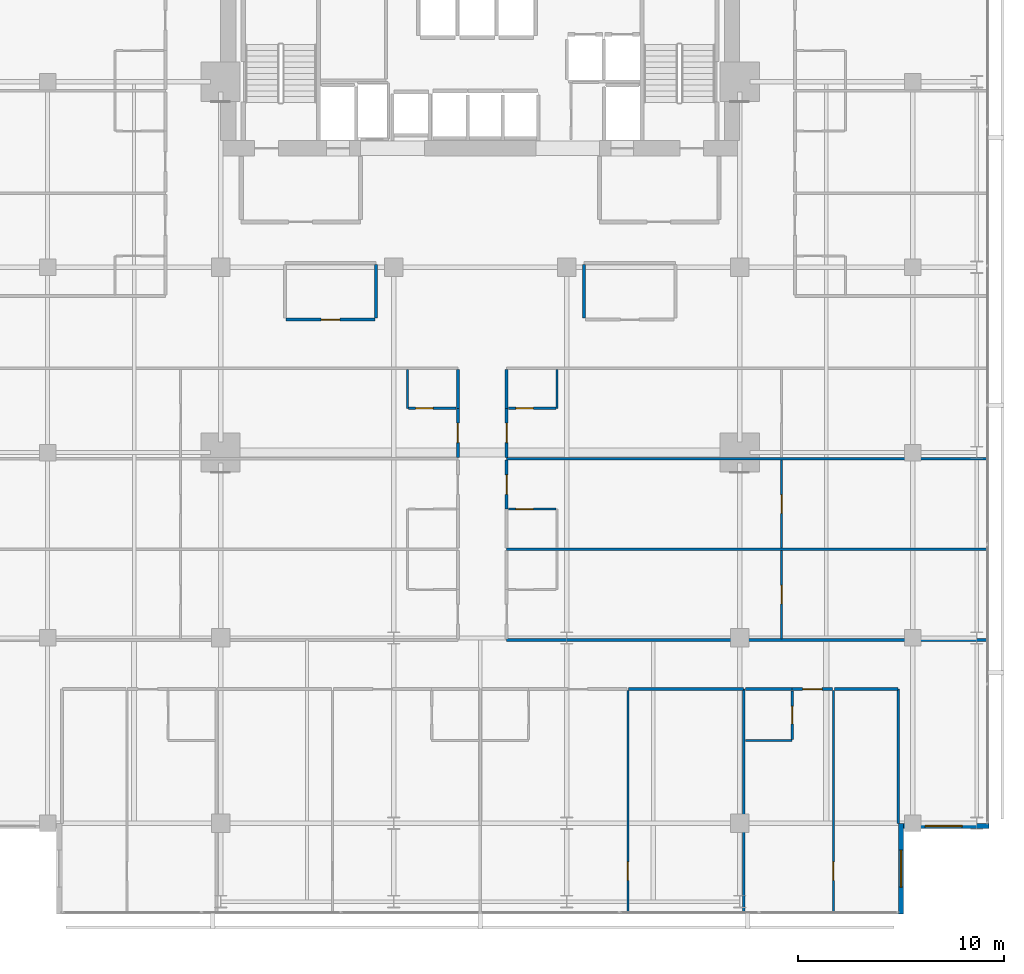
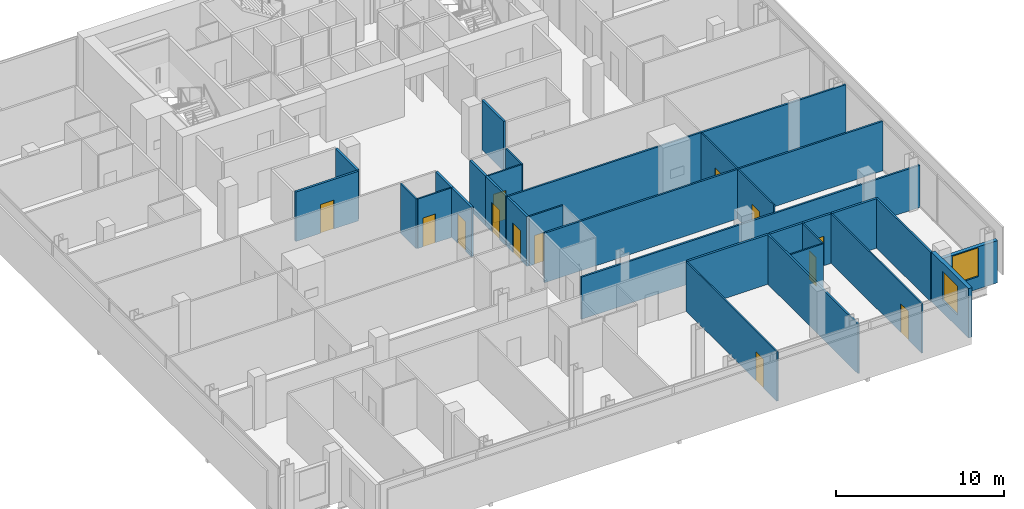
# One storey, part 28 of 34: 30 walls, 13 doors, 2 windows, 15 openings.
"""IFC4 building model written with IfcOpenShell, lengths in metres."""

import ifcopenshell
import ifcopenshell.guid

model = None  # the IFC model being written
_history = None  # IfcOwnerHistory: only IFC2X3 demands one
_inside = {}  # id of a spatial element -> (the spatial element, [elements in it])
_under = {}  # id of a project, library or spatial element -> (it, [spatial elements below it])
_declared = {}  # id of a project -> (the project, [libraries it declares])
_typed = {}  # id of a type object -> (the type object, [elements of that type])
_made_of = {}  # id of a material, layer set ... -> (it, [elements and type objects made of it])


def new_model(schema):
    """Start an empty IFC model of exactly this schema.

    Asked for "IFC4X3", IfcOpenShell would pick the latest addendum, in which some entities
    have other attributes; the version numbers below select the first issue.
    IFC2X3 requires an IfcOwnerHistory on every rooted entity: one is made here for all.
    """
    global model, _history
    if schema == "IFC4X3":
        model = ifcopenshell.file(schema_version=(4, 3, 0, 0))
    else:
        model = ifcopenshell.file(schema=schema)
    _inside.clear()
    _under.clear()
    _declared.clear()
    _typed.clear()
    _made_of.clear()
    _history = None
    if model.schema == "IFC2X3":
        org = make("IfcOrganization", Name="unknown")
        user = make(
            "IfcPersonAndOrganization",
            ThePerson=make("IfcPerson", FamilyName="unknown"),
            TheOrganization=org,
        )
        app = make(
            "IfcApplication",
            ApplicationDeveloper=org,
            Version="unknown",
            ApplicationFullName="unknown",
            ApplicationIdentifier="unknown",
        )
        _history = make(
            "IfcOwnerHistory",
            OwningUser=user,
            OwningApplication=app,
            ChangeAction="ADDED",
            CreationDate=0,
        )
    return model


def make(cls, **values):
    """One entity of the class cls with the attributes given. An attribute that is None is left unset."""
    return model.create_entity(
        cls, **{name: value for name, value in values.items() if value is not None}
    )


def rooted(cls, **values):
    """An entity with a GlobalId (a new one), such as an element, a storey or a relation."""
    return make(cls, GlobalId=ifcopenshell.guid.new(), OwnerHistory=_history, **values)


def si_unit(unit_type, name, prefix=None):
    """IfcSIUnit, for example si_unit("LENGTHUNIT", "METRE", prefix="MILLI")."""
    return make("IfcSIUnit", UnitType=unit_type, Prefix=prefix, Name=name)


def assignment(units):
    """IfcUnitAssignment: the units of a project."""
    return None if units is None else make("IfcUnitAssignment", Units=units)


def point(xyz):
    """IfcCartesianPoint."""
    return None if xyz is None else make("IfcCartesianPoint", Coordinates=xyz)


def direction(xyz):
    """IfcDirection."""
    return None if xyz is None else make("IfcDirection", DirectionRatios=xyz)


def frame(location, z_axis=None, x_axis=None):
    """IfcAxis2Placement3D, a coordinate frame: its origin and axes. An axis left out is left unset."""
    return make(
        "IfcAxis2Placement3D",
        Location=point(location),
        Axis=direction(z_axis),
        RefDirection=direction(x_axis),
    )


def frame_2d(location, x_axis=None):
    """IfcAxis2Placement2D, a coordinate frame in the plane: its origin and x axis."""
    return make(
        "IfcAxis2Placement2D", Location=point(location), RefDirection=direction(x_axis)
    )


def origin():
    """The frame at (0, 0, 0) with its axes left unset."""
    return frame((0.0, 0.0, 0.0))


def place(relative_to, where):
    """IfcLocalPlacement: puts the frame where relative to a parent placement (None: the world)."""
    return make(
        "IfcLocalPlacement", PlacementRelTo=relative_to, RelativePlacement=where
    )


def context(
    kind, dimensions, precision=None, world=None, true_north=None, identifier=None
):
    """IfcGeometricRepresentationContext, for example the 3D "Model" context."""
    return make(
        "IfcGeometricRepresentationContext",
        ContextIdentifier=identifier,
        ContextType=kind,
        CoordinateSpaceDimension=dimensions,
        Precision=precision,
        WorldCoordinateSystem=world,
        TrueNorth=true_north,
    )


def subcontext(parent, identifier, kind, view, scale=None):
    """IfcGeometricRepresentationSubContext, for example "Body" below "Model"."""
    return make(
        "IfcGeometricRepresentationSubContext",
        ContextIdentifier=identifier,
        ContextType=kind,
        ParentContext=parent,
        TargetScale=scale,
        TargetView=view,
    )


def project(units=None, contexts=None):
    """IfcProject with its units and contexts."""
    return rooted(
        "IfcProject",
        Name="project",
        RepresentationContexts=contexts,
        UnitsInContext=assignment(units),
    )


def spatial(cls, under=None, at=None, **own):
    """A site, building, storey or space (cls), placed at a placement, below another one or the project."""
    s = rooted(cls, ObjectPlacement=at, **own)
    if under is not None:
        _under.setdefault(under.id(), (under, []))[1].append(s)
    return s


def profile(cls, at=None, kind="AREA", **sizes):
    """A parametric profile (cls). Its sizes go by their IFC names, for example OverallWidth=200.0."""
    return make(cls, ProfileType=kind, Position=at, **sizes)


def rectangle(**sizes):
    """IfcRectangleProfileDef."""
    return profile("IfcRectangleProfileDef", **sizes)


def extrude(swept, where, along, depth):
    """IfcExtrudedAreaSolid: the profile swept, set in the frame where, extruded along a direction by depth."""
    return make(
        "IfcExtrudedAreaSolid",
        SweptArea=swept,
        Position=where,
        ExtrudedDirection=direction(along),
        Depth=depth,
    )


def shape(context_of_items, identifier, shape_type, items):
    """IfcShapeRepresentation: the items that make up one representation, for example the "Body"."""
    return make(
        "IfcShapeRepresentation",
        ContextOfItems=context_of_items,
        RepresentationIdentifier=identifier,
        RepresentationType=shape_type,
        Items=items,
    )


def material(Name=None, Category=None):
    """IfcMaterial."""
    return make("IfcMaterial", Name=Name, Category=Category)


def layer(
    of_material, thickness, ventilated=None, Name=None, Category=None, Priority=None
):
    """IfcMaterialLayer: one layer of a wall or slab, of a material (None: an air gap)."""
    return make(
        "IfcMaterialLayer",
        Material=of_material,
        LayerThickness=thickness,
        IsVentilated=ventilated,
        Name=Name,
        Category=Category,
        Priority=Priority,
    )


def layer_set(layers, Name=None):
    """IfcMaterialLayerSet."""
    return make("IfcMaterialLayerSet", MaterialLayers=layers, LayerSetName=Name)


def made_of(thing, what):
    """Note that an element or type object is made of a material, layer set ...; save() writes the relation."""
    if what is not None:
        _made_of.setdefault(what.id(), (what, []))[1].append(thing)
    return thing


def type_object(cls, material=None, **own):
    """A type object (cls), such as IfcWallType, which elements share."""
    return made_of(rooted(cls, **own), material)


def element(
    cls,
    number,
    at=None,
    inside=None,
    cuts=None,
    type_object=None,
    material=None,
    context=None,
    identifier="Body",
    shape_type=None,
    held_by="IfcProductDefinitionShape",
    body=None,
    shapes=None,
    **own,
):
    """One element of the class cls, such as IfcWall. Its Tag is "e" and its number.

    at: its placement. inside: the storey or other place that contains it. cuts: it is an
    opening in that element (IfcRelVoidsElement). A single representation is given by context,
    identifier, shape_type and body (its items); several are given by shapes. held_by: the class
    of the entity that holds the representations. save() writes the other relations.
    """
    e = rooted(cls, Tag="e%d" % number, ObjectPlacement=at, **own)
    if body is not None:
        shapes = [shape(context, identifier, shape_type, body)]
    if shapes is not None:
        e.Representation = make(held_by, Representations=shapes)
    if inside is not None:
        _inside.setdefault(inside.id(), (inside, []))[1].append(e)
    if cuts is not None:
        rooted(
            "IfcRelVoidsElement", RelatingBuildingElement=cuts, RelatedOpeningElement=e
        )
    if type_object is not None:
        _typed.setdefault(type_object.id(), (type_object, []))[1].append(e)
    return made_of(e, material)


def fill(opening, filler):
    """IfcRelFillsElement: the door or window that sits in an opening."""
    return rooted(
        "IfcRelFillsElement",
        RelatingOpeningElement=opening,
        RelatedBuildingElement=filler,
    )


def aggregate(whole, parts):
    """IfcRelAggregates: a whole, such as a stair, and the parts it consists of."""
    return rooted("IfcRelAggregates", RelatingObject=whole, RelatedObjects=parts)


def save(model, path):
    """Write the relations noted so far, then the file.

    IfcRelAggregates (storeys below a building ...), IfcRelContainedInSpatialStructure (elements
    in a storey), IfcRelDefinesByType, IfcRelAssociatesMaterial and IfcRelDeclares: one each for
    every whole, place, type object, material and project.
    """
    for whole, parts in _under.values():
        aggregate(whole, parts)
    for where, things in _inside.values():
        rooted(
            "IfcRelContainedInSpatialStructure",
            RelatedElements=things,
            RelatingStructure=where,
        )
    for kind, things in _typed.values():
        rooted("IfcRelDefinesByType", RelatedObjects=things, RelatingType=kind)
    for what, things in _made_of.values():
        rooted("IfcRelAssociatesMaterial", RelatedObjects=things, RelatingMaterial=what)
    for by, libraries in _declared.values():
        rooted("IfcRelDeclares", RelatingContext=by, RelatedDefinitions=libraries)
    model.write(path)


model = new_model("IFC4")

# Units and contexts
model_context = context("Model", 3, precision=1e-05, world=origin(), true_north=direction((0.0, 1.0)))
body_context = subcontext(model_context, "Body", "Model", "MODEL_VIEW")
ifc_project = project(units=[si_unit("LENGTHUNIT", "METRE"), si_unit("AREAUNIT", "SQUARE_METRE"), si_unit("VOLUMEUNIT", "CUBIC_METRE"), si_unit("PLANEANGLEUNIT", "RADIAN"), si_unit("MASSUNIT", "GRAM", prefix="KILO")], contexts=[model_context])

# Site, building, storey
site_placement = place(None, origin())
site = spatial("IfcSite", under=ifc_project, at=site_placement, CompositionType="ELEMENT")
building_placement = place(site_placement, origin())
building = spatial("IfcBuilding", under=site, at=building_placement, Name="Maruvema Waterfront Hotel and Observation Tower", CompositionType="ELEMENT")
storey_placement = place(building_placement, frame((0.0, 0.0, 212.10009765625)))
storey = spatial("IfcBuildingStorey", under=building, at=storey_placement, Name="L52", CompositionType="ELEMENT", Elevation=212.10009765625)

# Wall
ifc_material_1 = material(Name="Twin-stud acoustic gypsum drywall", Category="gypsum")
ifc_layer_1 = layer(ifc_material_1, 0.14990234375, Name="Acoustic Corridor and Suite Demising Wall 150 mm")
ifc_layer_set_1 = layer_set([ifc_layer_1], Name="Twin-stud acoustic gypsum drywall")
wall_type_1 = type_object("IfcWallType", Name="Acoustic Corridor and Suite Demising Wall 150 mm", PredefinedType="PARTITIONING", material=ifc_layer_set_1)
wall_1_placement = place(storey_placement, frame((32.75, 33.530029296875, 0.0), z_axis=(0.0, 0.0, 1.0), x_axis=(0.0, 1.0, 0.0)))
element("IfcWall", 1, at=wall_1_placement, inside=storey, type_object=wall_type_1, Name="L52 L52-M1 East Wall 019", PredefinedType="PARTITIONING", context=body_context, shape_type="SweptSolid", body=[
    extrude(rectangle(XDim=2.590087890625, YDim=0.14990234375, at=frame_2d((1.294921875, 0.0))), origin(), (0.0, 0.0, 1.0), 3.60986328125),
])

# Wall, opening, door
wall_2_placement = place(storey_placement, frame((28.3798828125, 33.449951171875, 0.0), z_axis=(0.0, 0.0, 1.0), x_axis=(1.0, 0.0, 0.0)))
wall_2 = element("IfcWall", 2, at=wall_2_placement, inside=storey, type_object=wall_type_1, Name="L52 L52-M1 Front 1 020", PredefinedType="PARTITIONING", context=body_context, shape_type="SweptSolid", body=[
    extrude(rectangle(XDim=4.31005859375, YDim=0.14990234375, at=frame_2d((2.155029296875, 0.0))), origin(), (0.0, 0.0, 1.0), 3.60986328125),
])
opening_1_placement = place(wall_2_placement, frame((1.705078125, 0.0, 0.0)))
opening_1 = element("IfcOpeningElement", 3, at=opening_1_placement, cuts=wall_2, Name="Opening DR-090", PredefinedType="OPENING", context=body_context, shape_type="SweptSolid", body=[
    extrude(rectangle(XDim=0.89990234375, YDim=2.10009765625, at=frame_2d((0.449951171875, 1.050048828125))), frame((0.0, 0.0849609375, 0.0), z_axis=(0.0, -1.0, 0.0), x_axis=(1.0, 0.0, 0.0)), (0.0, 0.0, 1.0), 0.169921875),
])
ifc_material_2 = material(Name="Solid-core lacquered timber leaf", Category="wood")
door_type_1 = type_object("IfcDoorType", Name="Accessible Toilet and Room Door 900x2100 mm", OperationType="NOTDEFINED", PredefinedType="DOOR", material=ifc_material_2)
door_1_placement = place(opening_1_placement, frame((0.89990234375, 0.0, 0.0), z_axis=(0.0, 0.0, 1.0), x_axis=(-1.0, 0.0, 0.0)))
door_1 = element("IfcDoor", 4, at=door_1_placement, inside=storey, type_object=door_type_1, Name="L52 Boardroom 1 Door", OperationType="SINGLE_SWING_LEFT", OverallHeight=2.10009765625, OverallWidth=0.89990234375, PredefinedType="DOOR", context=body_context, shape_type="SweptSolid", body=[
    extrude(rectangle(XDim=0.89990234375, YDim=2.10009765625, at=frame_2d((0.449951171875, 1.050048828125))), frame((0.0, 0.02490234375, 0.0), z_axis=(0.0, -1.0, 0.0), x_axis=(1.0, 0.0, 0.0)), (0.0, 0.0, 1.0), 0.050048828125),
])
fill(opening_1, door_1)

# Walls
wall_3_placement = place(storey_placement, frame((42.85009765625, 33.530029296875, 0.0), z_axis=(0.0, 0.0, 1.0), x_axis=(0.0, 1.0, 0.0)))
element("IfcWall", 5, at=wall_3_placement, inside=storey, type_object=wall_type_1, Name="L52 L52-M2 West Wall 022", PredefinedType="PARTITIONING", context=body_context, shape_type="SweptSolid", body=[
    extrude(rectangle(XDim=2.590087890625, YDim=0.14990234375, at=frame_2d((1.294921875, 0.0))), origin(), (0.0, 0.0, 1.0), 3.60986328125),
])
wall_4_placement = place(storey_placement, frame((45.008056640625, 15.52001953125, 0.0), z_axis=(0.0, 0.0, 1.0), x_axis=(1.0, 0.0, 0.0)))
element("IfcWall", 6, at=wall_4_placement, inside=storey, type_object=wall_type_1, Name="L52 Bedroom L52-S3 Back Wall 045", PredefinedType="PARTITIONING", context=body_context, shape_type="SweptSolid", body=[
    extrude(rectangle(XDim=5.572021484375, YDim=0.14990234375, at=frame_2d((2.7861328125, 0.0))), origin(), (0.0, 0.0, 1.0), 3.60986328125),
])
wall_5_placement = place(storey_placement, frame((50.679931640625, 15.52001953125, 0.0), z_axis=(0.0, 0.0, 1.0), x_axis=(1.0, 0.0, 0.0)))
element("IfcWall", 7, at=wall_5_placement, inside=storey, type_object=wall_type_1, Name="L52 Bath L52-S4 Back Wall 048", PredefinedType="PARTITIONING", context=body_context, shape_type="SweptSolid", body=[
    extrude(rectangle(XDim=2.27001953125, YDim=0.14990234375, at=frame_2d((1.135009765625, 0.0))), origin(), (0.0, 0.0, 1.0), 3.60986328125),
])

# Wall, opening, door
wall_6_placement = place(storey_placement, frame((52.949951171875, 15.52001953125, 0.0), z_axis=(0.0, 0.0, 1.0), x_axis=(1.0, 0.0, 0.0)))
wall_6 = element("IfcWall", 8, at=wall_6_placement, inside=storey, type_object=wall_type_1, Name="L52 Unit L52-S4 Corridor Wall 051", PredefinedType="PARTITIONING", context=body_context, shape_type="SweptSolid", body=[
    extrude(rectangle(XDim=1.9599609375, YDim=0.14990234375, at=frame_2d((0.97998046875, 0.0))), origin(), (0.0, 0.0, 1.0), 3.60986328125),
])
opening_2_placement = place(wall_6_placement, frame((0.5048828125, 0.0, 0.0)))
opening_2 = element("IfcOpeningElement", 9, at=opening_2_placement, cuts=wall_6, Name="Opening DR-095", PredefinedType="OPENING", context=body_context, shape_type="SweptSolid", body=[
    extrude(rectangle(XDim=0.949951171875, YDim=2.14990234375, at=frame_2d((0.47509765625, 1.074951171875))), frame((0.0, 0.0849609375, 0.0), z_axis=(0.0, -1.0, 0.0), x_axis=(1.0, 0.0, 0.0)), (0.0, 0.0, 1.0), 0.169921875),
])
ifc_material_3 = material(Name="Acoustic solid-core hardwood timber leaf", Category="wood")
door_type_2 = type_object("IfcDoorType", Name="Guestroom Entrance Fire Door 950x2150 mm", OperationType="NOTDEFINED", PredefinedType="DOOR", material=ifc_material_3)
door_2_placement = place(opening_2_placement, frame((0.949951171875, 0.0, 0.0), z_axis=(0.0, 0.0, 1.0), x_axis=(-1.0, 0.0, 0.0)))
door_2 = element("IfcDoor", 10, at=door_2_placement, inside=storey, type_object=door_type_2, Name="L52 Unit L52-S4 Entrance Door", OperationType="SINGLE_SWING_LEFT", OverallHeight=2.14990234375, OverallWidth=0.949951171875, PredefinedType="DOOR", context=body_context, shape_type="SweptSolid", body=[
    extrude(rectangle(XDim=0.949951171875, YDim=2.14990234375, at=frame_2d((0.47509765625, 1.074951171875))), frame((0.0, 0.02490234375, 0.0), z_axis=(0.0, -1.0, 0.0), x_axis=(1.0, 0.0, 0.0)), (0.0, 0.0, 1.0), 0.050048828125),
])
fill(opening_2, door_2)

# Wall
wall_7_placement = place(storey_placement, frame((54.989990234375, 15.52001953125, 0.0), z_axis=(0.0, 0.0, 1.0), x_axis=(1.0, 0.0, 0.0)))
element("IfcWall", 11, at=wall_7_placement, inside=storey, type_object=wall_type_1, Name="L52 Bedroom L52-S4 Back Wall 052", PredefinedType="PARTITIONING", context=body_context, shape_type="SweptSolid", body=[
    extrude(rectangle(XDim=3.090087890625, YDim=0.14990234375, at=frame_2d((1.544921875, 0.0))), origin(), (0.0, 0.0, 1.0), 3.60986328125),
])

# Wall, opening, door
wall_8_placement = place(storey_placement, frame((39.080078125, 24.25, 0.0), z_axis=(0.0, 0.0, 1.0), x_axis=(0.0, 1.0, 0.0)))
wall_8 = element("IfcWall", 12, at=wall_8_placement, inside=storey, type_object=wall_type_1, Name="L52 Room L52-E2 Corridor Wall 076", PredefinedType="PARTITIONING", context=body_context, shape_type="SweptSolid", body=[
    extrude(rectangle(XDim=2.389892578125, YDim=0.14990234375, at=frame_2d((1.19482421875, 0.0))), origin(), (0.0, 0.0, 1.0), 3.60986328125),
])
opening_3_placement = place(wall_8_placement, frame((0.719970703125, 0.0, 0.0)))
opening_3 = element("IfcOpeningElement", 13, at=opening_3_placement, cuts=wall_8, Name="Opening DR-095", PredefinedType="OPENING", context=body_context, shape_type="SweptSolid", body=[
    extrude(rectangle(XDim=0.949951171875, YDim=2.14990234375, at=frame_2d((0.47509765625, 1.074951171875))), frame((0.0, 0.0849609375, 0.0), z_axis=(0.0, -1.0, 0.0), x_axis=(1.0, 0.0, 0.0)), (0.0, 0.0, 1.0), 0.169921875),
])
door_3_placement = place(opening_3_placement, frame((0.949951171875, 0.0, 0.0), z_axis=(0.0, 0.0, 1.0), x_axis=(-1.0, 0.0, 0.0)))
door_3 = element("IfcDoor", 14, at=door_3_placement, inside=storey, type_object=door_type_2, Name="L52 Room L52-E2 Entrance Door", OperationType="SINGLE_SWING_LEFT", OverallHeight=2.14990234375, OverallWidth=0.949951171875, PredefinedType="DOOR", context=body_context, shape_type="SweptSolid", body=[
    extrude(rectangle(XDim=0.949951171875, YDim=2.14990234375, at=frame_2d((0.47509765625, 1.074951171875))), frame((0.0, 0.02490234375, 0.0), z_axis=(0.0, -1.0, 0.0), x_axis=(1.0, 0.0, 0.0)), (0.0, 0.0, 1.0), 0.050048828125),
])
fill(opening_3, door_3)

wall_9_placement = place(storey_placement, frame((36.719970703125, 26.760009765625, 0.0), z_axis=(0.0, 0.0, 1.0), x_axis=(0.0, 1.0, 0.0)))
wall_9 = element("IfcWall", 15, at=wall_9_placement, inside=storey, type_object=wall_type_1, Name="L52 Room L52-W3 Corridor Wall 082", PredefinedType="PARTITIONING", context=body_context, shape_type="SweptSolid", body=[
    extrude(rectangle(XDim=2.389892578125, YDim=0.14990234375, at=frame_2d((1.19482421875, 0.0))), origin(), (0.0, 0.0, 1.0), 3.60986328125),
])
opening_4_placement = place(wall_9_placement, frame((0.719970703125, 0.0, 0.0)))
opening_4 = element("IfcOpeningElement", 16, at=opening_4_placement, cuts=wall_9, Name="Opening DR-095", PredefinedType="OPENING", context=body_context, shape_type="SweptSolid", body=[
    extrude(rectangle(XDim=0.949951171875, YDim=2.14990234375, at=frame_2d((0.47509765625, 1.074951171875))), frame((0.0, 0.0849609375, 0.0), z_axis=(0.0, -1.0, 0.0), x_axis=(1.0, 0.0, 0.0)), (0.0, 0.0, 1.0), 0.169921875),
])
door_4_placement = place(opening_4_placement, origin())
door_4 = element("IfcDoor", 17, at=door_4_placement, inside=storey, type_object=door_type_2, Name="L52 Room L52-W3 Entrance Door", OperationType="SINGLE_SWING_RIGHT", OverallHeight=2.14990234375, OverallWidth=0.949951171875, PredefinedType="DOOR", context=body_context, shape_type="SweptSolid", body=[
    extrude(rectangle(XDim=0.949951171875, YDim=2.14990234375, at=frame_2d((0.47509765625, 1.074951171875))), frame((0.0, 0.02490234375, 0.0), z_axis=(0.0, -1.0, 0.0), x_axis=(1.0, 0.0, 0.0)), (0.0, 0.0, 1.0), 0.050048828125),
])
fill(opening_4, door_4)

# Wall
wall_10_placement = place(storey_placement, frame((36.719970703125, 29.14990234375, 0.0), z_axis=(0.0, 0.0, 1.0), x_axis=(0.0, 1.0, 0.0)))
element("IfcWall", 18, at=wall_10_placement, inside=storey, type_object=wall_type_1, Name="L52 Bath L52-W3 Wall 083", PredefinedType="PARTITIONING", context=body_context, shape_type="SweptSolid", body=[
    extrude(rectangle(XDim=1.89013671875, YDim=0.14990234375, at=frame_2d((0.945068359375, 0.0))), origin(), (0.0, 0.0, 1.0), 3.60986328125),
])

# Wall, opening, door
wall_11_placement = place(storey_placement, frame((39.080078125, 26.760009765625, 0.0), z_axis=(0.0, 0.0, 1.0), x_axis=(0.0, 1.0, 0.0)))
wall_11 = element("IfcWall", 19, at=wall_11_placement, inside=storey, type_object=wall_type_1, Name="L52 Room L52-E3 Corridor Wall 087", PredefinedType="PARTITIONING", context=body_context, shape_type="SweptSolid", body=[
    extrude(rectangle(XDim=2.389892578125, YDim=0.14990234375, at=frame_2d((1.19482421875, 0.0))), origin(), (0.0, 0.0, 1.0), 3.60986328125),
])
opening_5_placement = place(wall_11_placement, frame((0.719970703125, 0.0, 0.0)))
opening_5 = element("IfcOpeningElement", 20, at=opening_5_placement, cuts=wall_11, Name="Opening DR-095", PredefinedType="OPENING", context=body_context, shape_type="SweptSolid", body=[
    extrude(rectangle(XDim=0.949951171875, YDim=2.14990234375, at=frame_2d((0.47509765625, 1.074951171875))), frame((0.0, 0.0849609375, 0.0), z_axis=(0.0, -1.0, 0.0), x_axis=(1.0, 0.0, 0.0)), (0.0, 0.0, 1.0), 0.169921875),
])
door_5_placement = place(opening_5_placement, frame((0.949951171875, 0.0, 0.0), z_axis=(0.0, 0.0, 1.0), x_axis=(-1.0, 0.0, 0.0)))
door_5 = element("IfcDoor", 21, at=door_5_placement, inside=storey, type_object=door_type_2, Name="L52 Room L52-E3 Entrance Door", OperationType="SINGLE_SWING_LEFT", OverallHeight=2.14990234375, OverallWidth=0.949951171875, PredefinedType="DOOR", context=body_context, shape_type="SweptSolid", body=[
    extrude(rectangle(XDim=0.949951171875, YDim=2.14990234375, at=frame_2d((0.47509765625, 1.074951171875))), frame((0.0, 0.02490234375, 0.0), z_axis=(0.0, -1.0, 0.0), x_axis=(1.0, 0.0, 0.0)), (0.0, 0.0, 1.0), 0.050048828125),
])
fill(opening_5, door_5)

# Wall
wall_12_placement = place(storey_placement, frame((39.080078125, 29.14990234375, 0.0), z_axis=(0.0, 0.0, 1.0), x_axis=(0.0, 1.0, 0.0)))
element("IfcWall", 22, at=wall_12_placement, inside=storey, type_object=wall_type_1, Name="L52 Bath L52-E3 Wall 088", PredefinedType="PARTITIONING", context=body_context, shape_type="SweptSolid", body=[
    extrude(rectangle(XDim=1.89013671875, YDim=0.14990234375, at=frame_2d((0.945068359375, 0.0))), origin(), (0.0, 0.0, 1.0), 3.60986328125),
])

# Wall, opening, door
ifc_material_4 = material(Name="Moisture-resistant cement-board drywall", Category="gypsum")
ifc_layer_2 = layer(ifc_material_4, 0.10009765625, Name="En-Suite Moisture-Resistant Partition 100 mm")
ifc_layer_set_2 = layer_set([ifc_layer_2], Name="Moisture-resistant cement-board drywall")
wall_type_2 = type_object("IfcWallType", Name="En-Suite Moisture-Resistant Partition 100 mm", PredefinedType="PARTITIONING", material=ifc_layer_set_2)
wall_13_placement = place(storey_placement, frame((44.968017578125, 4.6298828125, 0.0), z_axis=(0.0, 0.0, 1.0), x_axis=(0.0, 1.0, 0.0)))
wall_13 = element("IfcWall", 23, at=wall_13_placement, inside=storey, type_object=wall_type_2, Name="L52 Suite L52-S3 Split 046", PredefinedType="PARTITIONING", context=body_context, shape_type="SweptSolid", body=[
    extrude(rectangle(XDim=10.830078125, YDim=0.10009765625, at=frame_2d((5.4150390625, 0.0))), origin(), (0.0, 0.0, 1.0), 3.60986328125),
])
opening_6_placement = place(wall_13_placement, frame((1.60009765625, 0.0, 0.0)))
opening_6 = element("IfcOpeningElement", 24, at=opening_6_placement, cuts=wall_13, Name="Opening DR-090", PredefinedType="OPENING", context=body_context, shape_type="SweptSolid", body=[
    extrude(rectangle(XDim=0.89990234375, YDim=2.10009765625, at=frame_2d((0.449951171875, 1.050048828125))), frame((0.0, 0.06005859375, 0.0), z_axis=(0.0, -1.0, 0.0), x_axis=(1.0, 0.0, 0.0)), (0.0, 0.0, 1.0), 0.1201171875),
])
door_6_placement = place(opening_6_placement, origin())
door_6 = element("IfcDoor", 25, at=door_6_placement, inside=storey, type_object=door_type_1, Name="L52 Suite L52-S3 Bedroom Door", OperationType="SINGLE_SWING_LEFT", OverallHeight=2.10009765625, OverallWidth=0.89990234375, PredefinedType="DOOR", context=body_context, shape_type="SweptSolid", body=[
    extrude(rectangle(XDim=0.89990234375, YDim=2.10009765625, at=frame_2d((0.449951171875, 1.050048828125))), frame((0.0, 0.02490234375, 0.0), z_axis=(0.0, -1.0, 0.0), x_axis=(1.0, 0.0, 0.0)), (0.0, 0.0, 1.0), 0.050048828125),
])
fill(opening_6, door_6)

# Wall
wall_14_placement = place(storey_placement, frame((50.679931640625, 13.02001953125, 0.0), z_axis=(0.0, 0.0, 1.0), x_axis=(1.0, 0.0, 0.0)))
element("IfcWall", 26, at=wall_14_placement, inside=storey, type_object=wall_type_2, Name="L52 En-Suite L52-S4 South 049", PredefinedType="PARTITIONING", context=body_context, shape_type="SweptSolid", body=[
    extrude(rectangle(XDim=2.27001953125, YDim=0.10009765625, at=frame_2d((1.135009765625, 0.0))), origin(), (0.0, 0.0, 1.0), 3.60986328125),
])

# Wall, opening, door
wall_15_placement = place(storey_placement, frame((52.949951171875, 13.080078125, 0.0), z_axis=(0.0, 0.0, 1.0), x_axis=(0.0, 1.0, 0.0)))
wall_15 = element("IfcWall", 27, at=wall_15_placement, inside=storey, type_object=wall_type_2, Name="L52 En-Suite L52-S4 East 050", PredefinedType="PARTITIONING", context=body_context, shape_type="SweptSolid", body=[
    extrude(rectangle(XDim=2.33984375, YDim=0.10009765625, at=frame_2d((1.169921875, 0.0))), origin(), (0.0, 0.0, 1.0), 3.60986328125),
])
opening_7_placement = place(wall_15_placement, frame((0.7451171875, 0.0, 0.0)))
opening_7 = element("IfcOpeningElement", 28, at=opening_7_placement, cuts=wall_15, Name="Opening DR-085", PredefinedType="OPENING", context=body_context, shape_type="SweptSolid", body=[
    extrude(rectangle(XDim=0.85009765625, YDim=2.10009765625, at=frame_2d((0.425048828125, 1.050048828125))), frame((0.0, 0.06005859375, 0.0), z_axis=(0.0, -1.0, 0.0), x_axis=(1.0, 0.0, 0.0)), (0.0, 0.0, 1.0), 0.1201171875),
])
ifc_material_5 = material(Name="Moisture-resistant solid timber leaf", Category="wood")
door_type_3 = type_object("IfcDoorType", Name="En-Suite Bathroom Door 850x2100 mm", OperationType="NOTDEFINED", PredefinedType="DOOR", material=ifc_material_5)
door_7_placement = place(opening_7_placement, frame((0.85009765625, 0.0, 0.0), z_axis=(0.0, 0.0, 1.0), x_axis=(-1.0, 0.0, 0.0)))
door_7 = element("IfcDoor", 29, at=door_7_placement, inside=storey, type_object=door_type_3, Name="L52 En-Suite L52-S4 Door", OperationType="SINGLE_SWING_RIGHT", OverallHeight=2.10009765625, OverallWidth=0.85009765625, PredefinedType="DOOR", context=body_context, shape_type="SweptSolid", body=[
    extrude(rectangle(XDim=0.85009765625, YDim=2.10009765625, at=frame_2d((0.425048828125, 1.050048828125))), frame((0.0, 0.02490234375, 0.0), z_axis=(0.0, -1.0, 0.0), x_axis=(1.0, 0.0, 0.0)), (0.0, 0.0, 1.0), 0.050048828125),
])
fill(opening_7, door_7)

wall_16_placement = place(storey_placement, frame((54.949951171875, 4.6298828125, 0.0), z_axis=(0.0, 0.0, 1.0), x_axis=(0.0, 1.0, 0.0)))
wall_16 = element("IfcWall", 30, at=wall_16_placement, inside=storey, type_object=wall_type_2, Name="L52 Suite L52-S4 Split 053", PredefinedType="PARTITIONING", context=body_context, shape_type="SweptSolid", body=[
    extrude(rectangle(XDim=10.830078125, YDim=0.10009765625, at=frame_2d((5.4150390625, 0.0))), origin(), (0.0, 0.0, 1.0), 3.60986328125),
])
opening_8_placement = place(wall_16_placement, frame((1.60009765625, 0.0, 0.0)))
opening_8 = element("IfcOpeningElement", 31, at=opening_8_placement, cuts=wall_16, Name="Opening DR-090", PredefinedType="OPENING", context=body_context, shape_type="SweptSolid", body=[
    extrude(rectangle(XDim=0.89990234375, YDim=2.10009765625, at=frame_2d((0.449951171875, 1.050048828125))), frame((0.0, 0.06005859375, 0.0), z_axis=(0.0, -1.0, 0.0), x_axis=(1.0, 0.0, 0.0)), (0.0, 0.0, 1.0), 0.1201171875),
])
door_8_placement = place(opening_8_placement, origin())
door_8 = element("IfcDoor", 32, at=door_8_placement, inside=storey, type_object=door_type_1, Name="L52 Suite L52-S4 Bedroom Door", OperationType="SINGLE_SWING_RIGHT", OverallHeight=2.10009765625, OverallWidth=0.89990234375, PredefinedType="DOOR", context=body_context, shape_type="SweptSolid", body=[
    extrude(rectangle(XDim=0.89990234375, YDim=2.10009765625, at=frame_2d((0.449951171875, 1.050048828125))), frame((0.0, 0.02490234375, 0.0), z_axis=(0.0, -1.0, 0.0), x_axis=(1.0, 0.0, 0.0)), (0.0, 0.0, 1.0), 0.050048828125),
])
fill(opening_8, door_8)

wall_17_placement = place(storey_placement, frame((52.434326171875, 17.9599609375, 0.0), z_axis=(0.0, 0.0, 1.0), x_axis=(0.0, 1.0, 0.0)))
wall_17 = element("IfcWall", 33, at=wall_17_placement, inside=storey, type_object=wall_type_2, Name="L52 Suite L52-E1 Split 067", PredefinedType="PARTITIONING", context=body_context, shape_type="SweptSolid", body=[
    extrude(rectangle(XDim=4.280029296875, YDim=0.10009765625, at=frame_2d((2.14013671875, 0.0))), origin(), (0.0, 0.0, 1.0), 3.60986328125),
])
opening_9_placement = place(wall_17_placement, frame((1.68994140625, 0.0, 0.0)))
opening_9 = element("IfcOpeningElement", 34, at=opening_9_placement, cuts=wall_17, Name="Opening DR-090", PredefinedType="OPENING", context=body_context, shape_type="SweptSolid", body=[
    extrude(rectangle(XDim=0.89990234375, YDim=2.10009765625, at=frame_2d((0.449951171875, 1.050048828125))), frame((0.0, 0.06005859375, 0.0), z_axis=(0.0, -1.0, 0.0), x_axis=(1.0, 0.0, 0.0)), (0.0, 0.0, 1.0), 0.1201171875),
])
door_9_placement = place(opening_9_placement, frame((0.89990234375, 0.0, 0.0), z_axis=(0.0, 0.0, 1.0), x_axis=(-1.0, 0.0, 0.0)))
door_9 = element("IfcDoor", 35, at=door_9_placement, inside=storey, type_object=door_type_1, Name="L52 Suite L52-E1 Bedroom Door", OperationType="SINGLE_SWING_RIGHT", OverallHeight=2.10009765625, OverallWidth=0.89990234375, PredefinedType="DOOR", context=body_context, shape_type="SweptSolid", body=[
    extrude(rectangle(XDim=0.89990234375, YDim=2.10009765625, at=frame_2d((0.449951171875, 1.050048828125))), frame((0.0, 0.02490234375, 0.0), z_axis=(0.0, -1.0, 0.0), x_axis=(1.0, 0.0, 0.0)), (0.0, 0.0, 1.0), 0.050048828125),
])
fill(opening_9, door_9)

wall_18_placement = place(storey_placement, frame((39.179931640625, 24.25, 0.0), z_axis=(0.0, 0.0, 1.0), x_axis=(1.0, 0.0, 0.0)))
wall_18 = element("IfcWall", 36, at=wall_18_placement, inside=storey, type_object=wall_type_2, Name="L52 En-Suite L52-E2 N 078", PredefinedType="PARTITIONING", context=body_context, shape_type="SweptSolid", body=[
    extrude(rectangle(XDim=2.300048828125, YDim=0.10009765625, at=frame_2d((1.14990234375, 0.0))), origin(), (0.0, 0.0, 1.0), 3.60986328125),
])
opening_10_placement = place(wall_18_placement, frame((0.35009765625, 0.0, 0.0)))
opening_10 = element("IfcOpeningElement", 37, at=opening_10_placement, cuts=wall_18, Name="Opening DR-085", PredefinedType="OPENING", context=body_context, shape_type="SweptSolid", body=[
    extrude(rectangle(XDim=0.85009765625, YDim=2.10009765625, at=frame_2d((0.425048828125, 1.050048828125))), frame((0.0, 0.06005859375, 0.0), z_axis=(0.0, -1.0, 0.0), x_axis=(1.0, 0.0, 0.0)), (0.0, 0.0, 1.0), 0.1201171875),
])
door_10_placement = place(opening_10_placement, origin())
door_10 = element("IfcDoor", 38, at=door_10_placement, inside=storey, type_object=door_type_3, Name="L52 En-Suite L52-E2 Door", OperationType="SINGLE_SWING_RIGHT", OverallHeight=2.10009765625, OverallWidth=0.85009765625, PredefinedType="DOOR", context=body_context, shape_type="SweptSolid", body=[
    extrude(rectangle(XDim=0.85009765625, YDim=2.10009765625, at=frame_2d((0.425048828125, 1.050048828125))), frame((0.0, 0.02490234375, 0.0), z_axis=(0.0, -1.0, 0.0), x_axis=(1.0, 0.0, 0.0)), (0.0, 0.0, 1.0), 0.050048828125),
])
fill(opening_10, door_10)

wall_19_placement = place(storey_placement, frame((52.434326171875, 22.360107421875, 0.0), z_axis=(0.0, 0.0, 1.0), x_axis=(0.0, 1.0, 0.0)))
wall_19 = element("IfcWall", 39, at=wall_19_placement, inside=storey, type_object=wall_type_2, Name="L52 Suite L52-E2 Split 079", PredefinedType="PARTITIONING", context=body_context, shape_type="SweptSolid", body=[
    extrude(rectangle(XDim=4.27978515625, YDim=0.10009765625, at=frame_2d((2.139892578125, 0.0))), origin(), (0.0, 0.0, 1.0), 3.60986328125),
])
opening_11_placement = place(wall_19_placement, frame((1.68994140625, 0.0, 0.0)))
opening_11 = element("IfcOpeningElement", 40, at=opening_11_placement, cuts=wall_19, Name="Opening DR-090", PredefinedType="OPENING", context=body_context, shape_type="SweptSolid", body=[
    extrude(rectangle(XDim=0.89990234375, YDim=2.10009765625, at=frame_2d((0.449951171875, 1.050048828125))), frame((0.0, 0.06005859375, 0.0), z_axis=(0.0, -1.0, 0.0), x_axis=(1.0, 0.0, 0.0)), (0.0, 0.0, 1.0), 0.1201171875),
])
door_11_placement = place(opening_11_placement, frame((0.89990234375, 0.0, 0.0), z_axis=(0.0, 0.0, 1.0), x_axis=(-1.0, 0.0, 0.0)))
door_11 = element("IfcDoor", 41, at=door_11_placement, inside=storey, type_object=door_type_1, Name="L52 Suite L52-E2 Bedroom Door", OperationType="SINGLE_SWING_RIGHT", OverallHeight=2.10009765625, OverallWidth=0.89990234375, PredefinedType="DOOR", context=body_context, shape_type="SweptSolid", body=[
    extrude(rectangle(XDim=0.89990234375, YDim=2.10009765625, at=frame_2d((0.449951171875, 1.050048828125))), frame((0.0, 0.02490234375, 0.0), z_axis=(0.0, -1.0, 0.0), x_axis=(1.0, 0.0, 0.0)), (0.0, 0.0, 1.0), 0.050048828125),
])
fill(opening_11, door_11)

# Wall
wall_20_placement = place(storey_placement, frame((34.27001953125, 29.14990234375, 0.0), z_axis=(0.0, 0.0, 1.0), x_axis=(0.0, 1.0, 0.0)))
element("IfcWall", 42, at=wall_20_placement, inside=storey, type_object=wall_type_2, Name="L52 En-Suite L52-W3 W 084", PredefinedType="PARTITIONING", context=body_context, shape_type="SweptSolid", body=[
    extrude(rectangle(XDim=1.89013671875, YDim=0.10009765625, at=frame_2d((0.945068359375, 0.0))), origin(), (0.0, 0.0, 1.0), 3.60986328125),
])

# Wall, opening, door
wall_21_placement = place(storey_placement, frame((34.320068359375, 29.14990234375, 0.0), z_axis=(0.0, 0.0, 1.0), x_axis=(1.0, 0.0, 0.0)))
wall_21 = element("IfcWall", 43, at=wall_21_placement, inside=storey, type_object=wall_type_2, Name="L52 En-Suite L52-W3 S 085", PredefinedType="PARTITIONING", context=body_context, shape_type="SweptSolid", body=[
    extrude(rectangle(XDim=2.300048828125, YDim=0.10009765625, at=frame_2d((1.14990234375, 0.0))), origin(), (0.0, 0.0, 1.0), 3.60986328125),
])
opening_12_placement = place(wall_21_placement, frame((0.35009765625, 0.0, 0.0)))
opening_12 = element("IfcOpeningElement", 44, at=opening_12_placement, cuts=wall_21, Name="Opening DR-085", PredefinedType="OPENING", context=body_context, shape_type="SweptSolid", body=[
    extrude(rectangle(XDim=0.85009765625, YDim=2.10009765625, at=frame_2d((0.425048828125, 1.050048828125))), frame((0.0, 0.06005859375, 0.0), z_axis=(0.0, -1.0, 0.0), x_axis=(1.0, 0.0, 0.0)), (0.0, 0.0, 1.0), 0.1201171875),
])
door_12_placement = place(opening_12_placement, frame((0.85009765625, 0.0, 0.0), z_axis=(0.0, 0.0, 1.0), x_axis=(-1.0, 0.0, 0.0)))
door_12 = element("IfcDoor", 45, at=door_12_placement, inside=storey, type_object=door_type_3, Name="L52 En-Suite L52-W3 Door", OperationType="SINGLE_SWING_LEFT", OverallHeight=2.10009765625, OverallWidth=0.85009765625, PredefinedType="DOOR", context=body_context, shape_type="SweptSolid", body=[
    extrude(rectangle(XDim=0.85009765625, YDim=2.10009765625, at=frame_2d((0.425048828125, 1.050048828125))), frame((0.0, 0.02490234375, 0.0), z_axis=(0.0, -1.0, 0.0), x_axis=(1.0, 0.0, 0.0)), (0.0, 0.0, 1.0), 0.050048828125),
])
fill(opening_12, door_12)

# Wall
wall_22_placement = place(storey_placement, frame((41.530029296875, 29.14990234375, 0.0), z_axis=(0.0, 0.0, 1.0), x_axis=(0.0, 1.0, 0.0)))
element("IfcWall", 46, at=wall_22_placement, inside=storey, type_object=wall_type_2, Name="L52 En-Suite L52-E3 E 089", PredefinedType="PARTITIONING", context=body_context, shape_type="SweptSolid", body=[
    extrude(rectangle(XDim=1.89013671875, YDim=0.10009765625, at=frame_2d((0.945068359375, 0.0))), origin(), (0.0, 0.0, 1.0), 3.60986328125),
])

# Wall, opening, door
wall_23_placement = place(storey_placement, frame((39.179931640625, 29.14990234375, 0.0), z_axis=(0.0, 0.0, 1.0), x_axis=(1.0, 0.0, 0.0)))
wall_23 = element("IfcWall", 47, at=wall_23_placement, inside=storey, type_object=wall_type_2, Name="L52 En-Suite L52-E3 S 090", PredefinedType="PARTITIONING", context=body_context, shape_type="SweptSolid", body=[
    extrude(rectangle(XDim=2.300048828125, YDim=0.10009765625, at=frame_2d((1.14990234375, 0.0))), origin(), (0.0, 0.0, 1.0), 3.60986328125),
])
opening_13_placement = place(wall_23_placement, frame((0.35009765625, 0.0, 0.0)))
opening_13 = element("IfcOpeningElement", 48, at=opening_13_placement, cuts=wall_23, Name="Opening DR-085", PredefinedType="OPENING", context=body_context, shape_type="SweptSolid", body=[
    extrude(rectangle(XDim=0.85009765625, YDim=2.10009765625, at=frame_2d((0.425048828125, 1.050048828125))), frame((0.0, 0.06005859375, 0.0), z_axis=(0.0, -1.0, 0.0), x_axis=(1.0, 0.0, 0.0)), (0.0, 0.0, 1.0), 0.1201171875),
])
door_13_placement = place(opening_13_placement, frame((0.85009765625, 0.0, 0.0), z_axis=(0.0, 0.0, 1.0), x_axis=(-1.0, 0.0, 0.0)))
door_13 = element("IfcDoor", 49, at=door_13_placement, inside=storey, type_object=door_type_3, Name="L52 En-Suite L52-E3 Door", OperationType="SINGLE_SWING_RIGHT", OverallHeight=2.10009765625, OverallWidth=0.85009765625, PredefinedType="DOOR", context=body_context, shape_type="SweptSolid", body=[
    extrude(rectangle(XDim=0.85009765625, YDim=2.10009765625, at=frame_2d((0.425048828125, 1.050048828125))), frame((0.0, 0.02490234375, 0.0), z_axis=(0.0, -1.0, 0.0), x_axis=(1.0, 0.0, 0.0)), (0.0, 0.0, 1.0), 0.050048828125),
])
fill(opening_13, door_13)

# Wall, opening, window
ifc_material_6 = material(Name="Precast concrete C45/55 with honed Pernambuco granite facing", Category="masonry")
ifc_layer_3 = layer(ifc_material_6, 0.260009765625, Name="Exterior Granite Clad Spandrel and Pier Wall 260 mm")
ifc_layer_set_3 = layer_set([ifc_layer_3], Name="Precast concrete C45/55 with honed Pernambuco granite facing")
wall_type_3 = type_object("IfcWallType", Name="Exterior Granite Clad Spandrel and Pier Wall 260 mm", PredefinedType="SOLIDWALL", material=ifc_layer_set_3)
wall_24_placement = place(storey_placement, frame((58.22998046875, 9.0, 0.0), z_axis=(0.0, 0.0, 1.0), x_axis=(0.0, -1.0, 0.0)))
wall_24 = element("IfcWall", 50, at=wall_24_placement, inside=storey, type_object=wall_type_3, Name="L52 Corner Notch Granite Pier Wall SE1", PredefinedType="SOLIDWALL", context=body_context, shape_type="SweptSolid", body=[
    extrude(rectangle(XDim=4.39990234375, YDim=0.260009765625, at=frame_2d((2.199951171875, 0.0))), origin(), (0.0, 0.0, 1.0), 3.60986328125),
])
opening_14_placement = place(wall_24_placement, frame((1.300048828125, 0.0, 0.89990234375)))
opening_14 = element("IfcOpeningElement", 51, at=opening_14_placement, cuts=wall_24, Name="Opening WN-02", PredefinedType="OPENING", context=body_context, shape_type="SweptSolid", body=[
    extrude(rectangle(XDim=1.800048828125, YDim=2.10009765625, at=frame_2d((0.89990234375, 1.050048828125))), frame((0.0, 0.14013671875, 0.0), z_axis=(0.0, -1.0, 0.0), x_axis=(1.0, 0.0, 0.0)), (0.0, 0.0, 1.0), 0.280029296875),
])
ifc_material_7 = material(Name="Anodised bronze aluminium frame with laminated low-E glass", Category="aluminium")
window_type = type_object("IfcWindowType", Name="Upper Notch Feature Window 1800x2100 mm", PartitioningType="SINGLE_PANEL", PredefinedType="WINDOW", material=ifc_material_7)
window_1_placement = place(opening_14_placement, origin())
window_1 = element("IfcWindow", 52, at=window_1_placement, inside=storey, type_object=window_type, Name="L52 Corner Notch Punched Window SE1", OverallHeight=2.10009765625, OverallWidth=1.800048828125, PartitioningType="SINGLE_PANEL", PredefinedType="WINDOW", context=body_context, shape_type="SweptSolid", body=[
    extrude(rectangle(XDim=1.800048828125, YDim=2.10009765625, at=frame_2d((0.89990234375, 1.050048828125))), frame((0.0, 0.030029296875, 0.0), z_axis=(0.0, -1.0, 0.0), x_axis=(1.0, 0.0, 0.0)), (0.0, 0.0, 1.0), 0.06005859375),
])
fill(opening_14, window_1)

wall_25_placement = place(storey_placement, frame((62.5, 8.8701171875, 0.0), z_axis=(0.0, 0.0, 1.0), x_axis=(-1.0, 0.0, 0.0)))
wall_25 = element("IfcWall", 53, at=wall_25_placement, inside=storey, type_object=wall_type_3, Name="L52 Corner Notch Granite Pier Wall SE2", PredefinedType="SOLIDWALL", context=body_context, shape_type="SweptSolid", body=[
    extrude(rectangle(XDim=4.39990234375, YDim=0.260009765625, at=frame_2d((2.199951171875, 0.0))), origin(), (0.0, 0.0, 1.0), 3.07080078125),
])
opening_15_placement = place(wall_25_placement, frame((1.300048828125, 0.0, 0.89990234375)))
opening_15 = element("IfcOpeningElement", 54, at=opening_15_placement, cuts=wall_25, Name="Opening WN-02", PredefinedType="OPENING", context=body_context, shape_type="SweptSolid", body=[
    extrude(rectangle(XDim=1.800048828125, YDim=2.10009765625, at=frame_2d((0.89990234375, 1.050048828125))), frame((0.0, 0.14013671875, 0.0), z_axis=(0.0, -1.0, 0.0), x_axis=(1.0, 0.0, 0.0)), (0.0, 0.0, 1.0), 0.280029296875),
])
window_2_placement = place(opening_15_placement, origin())
window_2 = element("IfcWindow", 55, at=window_2_placement, inside=storey, type_object=window_type, Name="L52 Corner Notch Punched Window SE2", OverallHeight=2.10009765625, OverallWidth=1.800048828125, PartitioningType="SINGLE_PANEL", PredefinedType="WINDOW", context=body_context, shape_type="SweptSolid", body=[
    extrude(rectangle(XDim=1.800048828125, YDim=2.10009765625, at=frame_2d((0.89990234375, 1.050048828125))), frame((0.0, 0.030029296875, 0.0), z_axis=(0.0, -1.0, 0.0), x_axis=(1.0, 0.0, 0.0)), (0.0, 0.0, 1.0), 0.06005859375),
])
fill(opening_15, window_2)

# Walls
ifc_material_8 = material(Name="Acoustic gypsum plasterboard drywall", Category="gypsum")
ifc_layer_4 = layer(ifc_material_8, 0.125, Name="Guestroom Acoustic Demising Wall 125 mm")
ifc_layer_set_4 = layer_set([ifc_layer_4], Name="Acoustic gypsum plasterboard drywall")
wall_type_4 = type_object("IfcWallType", Name="Guestroom Acoustic Demising Wall 125 mm", PredefinedType="PARTITIONING", material=ifc_layer_set_4)
wall_26_placement = place(storey_placement, frame((58.10009765625, 9.0, 0.0), z_axis=(0.0, 0.0, 1.0), x_axis=(0.0, 1.0, 0.0)))
element("IfcWall", 56, at=wall_26_placement, inside=storey, type_object=wall_type_4, Name="L52 Z2 S East End 026", PredefinedType="PARTITIONING", context=body_context, shape_type="SweptSolid", body=[
    extrude(rectangle(XDim=6.52001953125, YDim=0.125, at=frame_2d((3.260009765625, 0.0))), origin(), (0.0, 0.0, 1.0), 3.60986328125),
])
wall_27_placement = place(storey_placement, frame((50.60009765625, 4.699951171875, 0.0), z_axis=(0.0, 0.0, 1.0), x_axis=(0.0, 1.0, 0.0)))
element("IfcWall", 57, at=wall_27_placement, inside=storey, type_object=wall_type_4, Name="L52 Z2 S Demising 4 047", PredefinedType="PARTITIONING", context=body_context, shape_type="SweptSolid", body=[
    extrude(rectangle(XDim=10.820068359375, YDim=0.125, at=frame_2d((5.41015625, 0.0))), origin(), (0.0, 0.0, 1.0), 3.60986328125),
])
wall_28_placement = place(storey_placement, frame((39.080078125, 17.89990234375, 0.0), z_axis=(0.0, 0.0, 1.0), x_axis=(1.0, 0.0, 0.0)))
element("IfcWall", 58, at=wall_28_placement, inside=storey, type_object=wall_type_4, Name="L52 Z2 E Bot End 055", PredefinedType="PARTITIONING", context=body_context, shape_type="SweptSolid", body=[
    extrude(rectangle(XDim=23.31982421875, YDim=0.125, at=frame_2d((11.659912109375, 0.0))), origin(), (0.0, 0.0, 1.0), 3.07080078125),
])
for number, where, z_axis, x_axis, name in (
    (59, (39.080078125, 22.300048828125, 0.0), (0.0, 0.0, 1.0), (1.0, 0.0, 0.0), "L52 Z2 E Demising 2 069"),
    (60, (39.080078125, 26.699951171875, 0.0), (0.0, 0.0, 1.0), (1.0, 0.0, 0.0), "L52 Z2 E Demising 3 081"),
):
    element("IfcWall", number, at=place(storey_placement, frame(where, z_axis=z_axis, x_axis=x_axis)), inside=storey, type_object=wall_type_4, Name=name, PredefinedType="PARTITIONING", context=body_context, shape_type="SweptSolid", body=[
        extrude(rectangle(XDim=23.31982421875, YDim=0.125, at=frame_2d((11.659912109375, 0.0))), origin(), (0.0, 0.0, 1.0), 3.60986328125),
    ])

save(model, "model.ifc")
